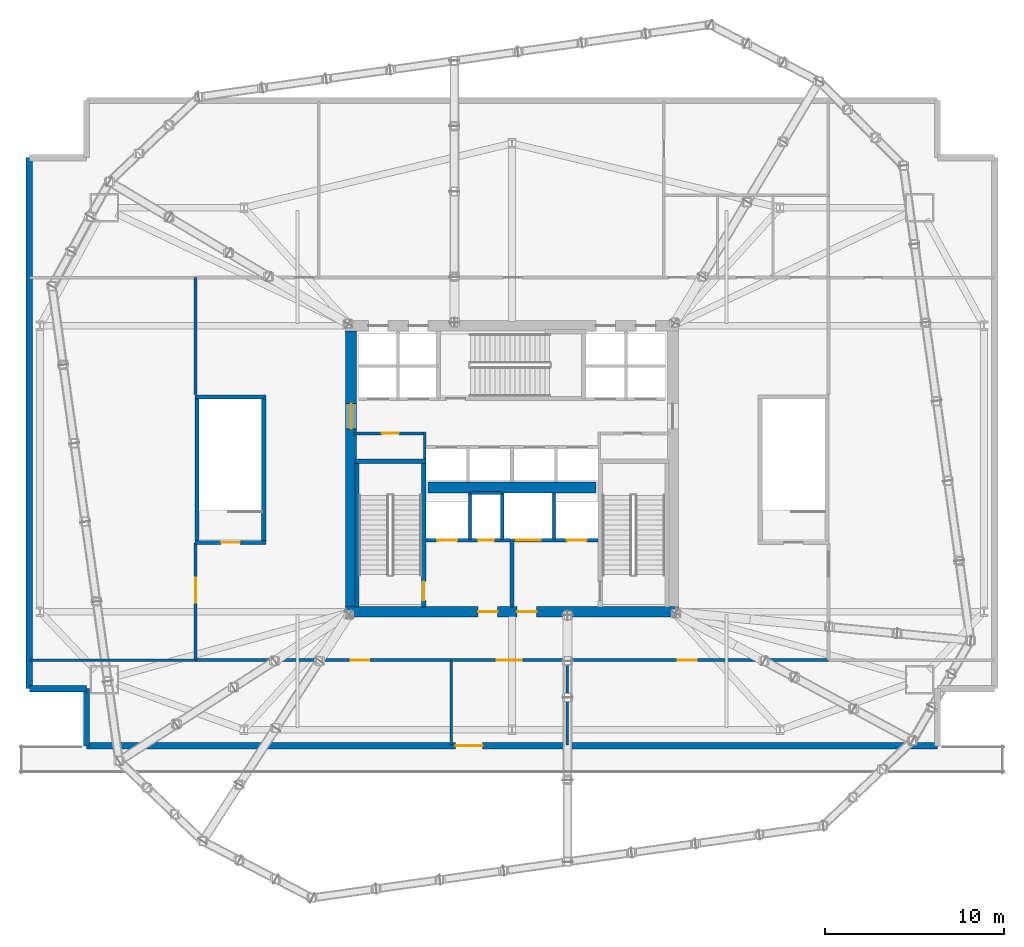
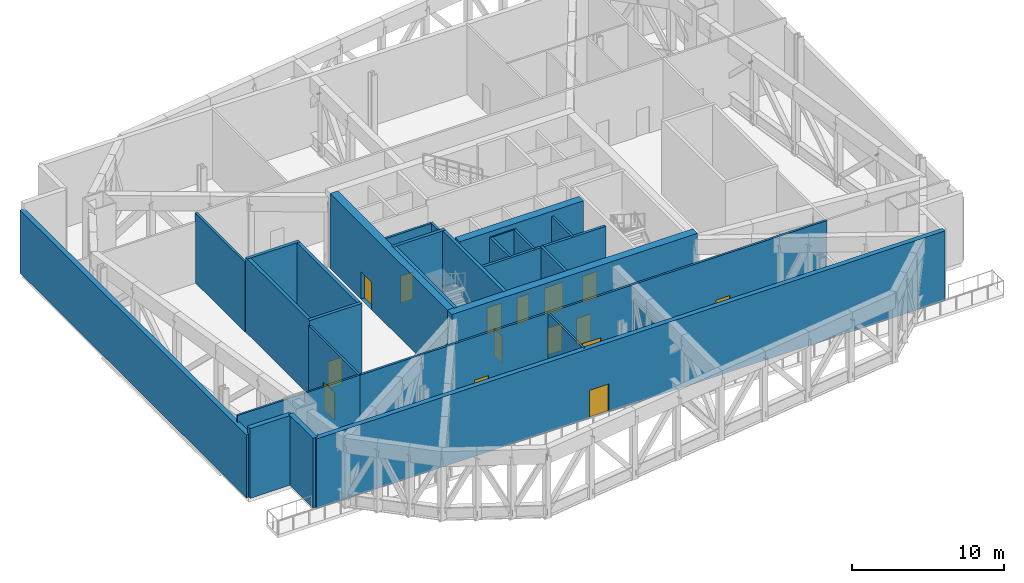
# One storey, part 10 of 15: 29 walls, 15 doors, 15 openings.
"""IFC4 building model written with IfcOpenShell, lengths in metres."""

from ifc_helpers import new_model, si_unit, direction, frame, frame_2d, origin, place, context, subcontext, project, spatial, rectangle, extrude, material, layer, layer_set, type_object, element, fill, save


model = new_model("IFC4")

# Units and contexts
model_context = context("Model", 3, precision=1e-05, world=origin(), true_north=direction((0.0, 1.0)))
body_context = subcontext(model_context, "Body", "Model", "MODEL_VIEW")
ifc_project = project(units=[si_unit("LENGTHUNIT", "METRE"), si_unit("AREAUNIT", "SQUARE_METRE"), si_unit("VOLUMEUNIT", "CUBIC_METRE"), si_unit("PLANEANGLEUNIT", "RADIAN"), si_unit("MASSUNIT", "GRAM", prefix="KILO")], contexts=[model_context])

# Site, building, storey
site_placement = place(None, origin())
site = spatial("IfcSite", under=ifc_project, at=site_placement, CompositionType="ELEMENT")
building_placement = place(site_placement, origin())
building = spatial("IfcBuilding", under=site, at=building_placement, Name="Haldenkirk Collegiate Tower", CompositionType="ELEMENT")
storey_placement = place(building_placement, frame((0.0, 0.0, 22.199951171875)))
storey = spatial("IfcBuildingStorey", under=building, at=storey_placement, Name="L04", CompositionType="ELEMENT", Elevation=22.199951171875)

# Wall, openings, doors
ifc_material_1 = material(Name="Concrete f'c 70 MPa", Category="concrete")
ifc_layer_1 = layer(ifc_material_1, 0.60009765625)
ifc_layer_set_1 = layer_set([ifc_layer_1], Name="Concrete f'c 70 MPa")
wall_type_1 = type_object("IfcWallType", Name="WL-CORE-600", PredefinedType="SHEAR", material=ifc_layer_set_1)
wall_1_placement = place(storey_placement, frame((26.699951171875, 18.0, 0.0), z_axis=(0.0, 0.0, 1.0), x_axis=(1.0, 0.0, 0.0)))
wall_1 = element("IfcWall", 1, at=wall_1_placement, inside=storey, type_object=wall_type_1, Name="L04 central core shear wall S", PredefinedType="SHEAR", context=body_context, shape_type="SweptSolid", body=[
    extrude(rectangle(XDim=18.60009765625, YDim=0.60009765625, at=frame_2d((9.300048828125, 0.0))), origin(), (0.0, 0.0, 1.0), 6.0),
])
opening_1_placement = place(wall_1_placement, frame((7.39990234375, 0.0, 0.0)))
opening_1 = element("IfcOpeningElement", 2, at=opening_1_placement, cuts=wall_1, Name="Opening D-02", PredefinedType="OPENING", context=body_context, shape_type="SweptSolid", body=[
    extrude(rectangle(XDim=1.10009765625, YDim=2.14990234375, at=frame_2d((0.550048828125, 1.074951171875))), frame((0.0, 0.31005859375, 0.0), z_axis=(0.0, -1.0, 0.0), x_axis=(1.0, 0.0, 0.0)), (0.0, 0.0, 1.0), 0.6201171875),
])
opening_2_placement = place(wall_1_placement, frame((9.580078125, 0.0, 0.0)))
opening_2 = element("IfcOpeningElement", 3, at=opening_2_placement, cuts=wall_1, Name="Opening D-02", PredefinedType="OPENING", context=body_context, shape_type="SweptSolid", body=[
    extrude(rectangle(XDim=1.10009765625, YDim=2.14990234375, at=frame_2d((0.550048828125, 1.074951171875))), frame((0.0, 0.31005859375, 0.0), z_axis=(0.0, -1.0, 0.0), x_axis=(1.0, 0.0, 0.0)), (0.0, 0.0, 1.0), 0.6201171875),
])
ifc_material_2 = material(Name="Galvanized fire-rated hollow steel door", Category="steel")
ifc_layer_2 = layer(ifc_material_2, 0.06005859375)
ifc_layer_set_2 = layer_set([ifc_layer_2], Name="Galvanized fire-rated hollow steel door")
door_type_1 = type_object("IfcDoorType", Name="DR-STAIR-FD90-1100", OperationType="NOTDEFINED", PredefinedType="DOOR", material=ifc_layer_set_2)
door_1_placement = place(opening_1_placement, origin())
door_1 = element("IfcDoor", 4, at=door_1_placement, inside=storey, type_object=door_type_1, Name="L04 Firefighting Lobby 1 door", OperationType="SINGLE_SWING_RIGHT", OverallHeight=2.14990234375, OverallWidth=1.10009765625, PredefinedType="DOOR", context=body_context, shape_type="SweptSolid", body=[
    extrude(rectangle(XDim=1.10009765625, YDim=2.14990234375, at=frame_2d((0.550048828125, 1.074951171875))), frame((0.0, 0.02490234375, 0.0), z_axis=(0.0, -1.0, 0.0), x_axis=(1.0, 0.0, 0.0)), (0.0, 0.0, 1.0), 0.050048828125),
])
fill(opening_1, door_1)
door_2_placement = place(opening_2_placement, origin())
door_2 = element("IfcDoor", 5, at=door_2_placement, inside=storey, type_object=door_type_1, Name="L04 Firefighting Lobby 2 door", OperationType="SINGLE_SWING_LEFT", OverallHeight=2.14990234375, OverallWidth=1.10009765625, PredefinedType="DOOR", context=body_context, shape_type="SweptSolid", body=[
    extrude(rectangle(XDim=1.10009765625, YDim=2.14990234375, at=frame_2d((0.550048828125, 1.074951171875))), frame((0.0, 0.02490234375, 0.0), z_axis=(0.0, -1.0, 0.0), x_axis=(1.0, 0.0, 0.0)), (0.0, 0.0, 1.0), 0.050048828125),
])
fill(opening_2, door_2)

# Wall, opening, door
wall_2_placement = place(storey_placement, frame((27.0, 18.300048828125, 0.0), z_axis=(0.0, 0.0, 1.0), x_axis=(0.0, 1.0, 0.0)))
wall_2 = element("IfcWall", 6, at=wall_2_placement, inside=storey, type_object=wall_type_1, Name="L04 central core shear wall W", PredefinedType="SHEAR", context=body_context, shape_type="SweptSolid", body=[
    extrude(rectangle(XDim=15.39990234375, YDim=0.60009765625, at=frame_2d((7.699951171875, 0.0))), origin(), (0.0, 0.0, 1.0), 6.0),
])
opening_3_placement = place(wall_2_placement, frame((9.93994140625, 0.0, 0.0)))
opening_3 = element("IfcOpeningElement", 7, at=opening_3_placement, cuts=wall_2, Name="Opening D-03", PredefinedType="OPENING", context=body_context, shape_type="SweptSolid", body=[
    extrude(rectangle(XDim=1.39990234375, YDim=2.199951171875, at=frame_2d((0.699951171875, 1.10009765625))), frame((0.0, 0.31005859375, 0.0), z_axis=(0.0, -1.0, 0.0), x_axis=(1.0, 0.0, 0.0)), (0.0, 0.0, 1.0), 0.6201171875),
])
ifc_layer_3 = layer(ifc_material_2, 0.06005859375)
ifc_layer_set_3 = layer_set([ifc_layer_3], Name="Galvanized fire-rated hollow steel door")
door_type_2 = type_object("IfcDoorType", Name="DR-LOBBY-FD90-1400", OperationType="NOTDEFINED", PredefinedType="DOOR", material=ifc_layer_set_3)
door_3_placement = place(opening_3_placement, origin())
door_3 = element("IfcDoor", 8, at=door_3_placement, inside=storey, type_object=door_type_2, Name="L04 west lift lobby portal", OperationType="DOUBLE_DOOR_SINGLE_SWING", OverallHeight=2.199951171875, OverallWidth=1.39990234375, PredefinedType="DOOR", context=body_context, shape_type="SweptSolid", body=[
    extrude(rectangle(XDim=1.39990234375, YDim=2.199951171875, at=frame_2d((0.699951171875, 1.10009765625))), frame((0.0, 0.02490234375, 0.0), z_axis=(0.0, -1.0, 0.0), x_axis=(1.0, 0.0, 0.0)), (0.0, 0.0, 1.0), 0.050048828125),
])
fill(opening_3, door_3)

# Wall
wall_3_placement = place(storey_placement, frame((31.31005859375, 24.949951171875, 0.0), z_axis=(0.0, 0.0, 1.0), x_axis=(1.0, 0.0, 0.0)))
element("IfcWall", 9, at=wall_3_placement, inside=storey, type_object=wall_type_1, Name="L04 central core spine shear wall", PredefinedType="SHEAR", context=body_context, shape_type="SweptSolid", body=[
    extrude(rectangle(XDim=9.3798828125, YDim=0.60009765625, at=frame_2d((4.68994140625, 0.0))), origin(), (0.0, 0.0, 1.0), 6.0),
])

# Wall, opening, door
ifc_material_3 = material(Name="Precast concrete f'c 40 MPa", Category="concrete")
ifc_layer_4 = layer(ifc_material_3, 0.360107421875)
ifc_layer_set_4 = layer_set([ifc_layer_4], Name="Precast concrete f'c 40 MPa")
wall_type_2 = type_object("IfcWallType", Name="WL-EXT-POD-360", PredefinedType="STANDARD", material=ifc_layer_set_4)
wall_4_placement = place(storey_placement, frame((59.800048828125, 10.5, 0.0), z_axis=(0.0, 0.0, 1.0), x_axis=(-1.0, 0.0, 0.0)))
wall_4 = element("IfcWall", 10, at=wall_4_placement, inside=storey, type_object=wall_type_2, Name="L04 podium bronze precast wall 01", PredefinedType="STANDARD", context=body_context, shape_type="SweptSolid", body=[
    extrude(rectangle(XDim=47.60009765625, YDim=0.360107421875, at=frame_2d((23.800048828125, 0.0))), origin(), (0.0, 0.0, 1.0), 5.590087890625),
])
opening_4_placement = place(wall_4_placement, frame((25.449951171875, 0.0, 0.0)))
opening_4 = element("IfcOpeningElement", 11, at=opening_4_placement, cuts=wall_4, Name="Opening D-PT15", PredefinedType="OPENING", context=body_context, shape_type="SweptSolid", body=[
    extrude(rectangle(XDim=1.5, YDim=2.25, at=frame_2d((0.75, 1.125))), frame((0.0, 0.18994140625, 0.0), z_axis=(0.0, -1.0, 0.0), x_axis=(1.0, 0.0, 0.0)), (0.0, 0.0, 1.0), 0.380126953125),
])
ifc_material_4 = material(Name="Anodised architectural bronze aluminium", Category="aluminium")
ifc_layer_5 = layer(ifc_material_4, 0.080078125)
ifc_layer_set_5 = layer_set([ifc_layer_5], Name="Anodised architectural bronze aluminium")
door_type_3 = type_object("IfcDoorType", Name="DR-EXT-PTER-1500", OperationType="NOTDEFINED", PredefinedType="DOOR", material=ifc_layer_set_5)
door_4_placement = place(opening_4_placement, origin())
door_4 = element("IfcDoor", 12, at=door_4_placement, inside=storey, type_object=door_type_3, Name="L04 south cascade terrace door", OperationType="DOUBLE_DOOR_SINGLE_SWING", OverallHeight=2.25, OverallWidth=1.5, PredefinedType="DOOR", context=body_context, shape_type="SweptSolid", body=[
    extrude(rectangle(XDim=1.5, YDim=2.25, at=frame_2d((0.75, 1.125))), frame((0.0, 0.02490234375, 0.0), z_axis=(0.0, -1.0, 0.0), x_axis=(1.0, 0.0, 0.0)), (0.0, 0.0, 1.0), 0.050048828125),
])
fill(opening_4, door_4)

# Walls
wall_5_placement = place(storey_placement, frame((9.0, 13.699951171875, 0.0), z_axis=(0.0, 0.0, 1.0), x_axis=(0.0, 1.0, 0.0)))
element("IfcWall", 13, at=wall_5_placement, inside=storey, type_object=wall_type_2, Name="L04 podium bronze precast wall 10", PredefinedType="STANDARD", context=body_context, shape_type="SweptSolid", body=[
    extrude(rectangle(XDim=29.699951171875, YDim=0.360107421875, at=frame_2d((14.85009765625, 0.0))), origin(), (0.0, 0.0, 1.0), 5.041015625),
])
for number, where, z_axis, x_axis, name in (
    (14, (12.199951171875, 13.699951171875, 0.0), (0.0, 0.0, 1.0), (-1.0, 0.0, 0.0), "L04 podium bronze precast wall 11"),
    (15, (12.199951171875, 10.5, 0.0), (0.0, 0.0, 1.0), (0.0, 1.0, 0.0), "L04 podium bronze precast wall 12"),
):
    element("IfcWall", number, at=place(storey_placement, frame(where, z_axis=z_axis, x_axis=x_axis)), inside=storey, type_object=wall_type_2, Name=name, PredefinedType="STANDARD", context=body_context, shape_type="SweptSolid", body=[
        extrude(rectangle(XDim=3.199951171875, YDim=0.360107421875, at=frame_2d((1.60009765625, 0.0))), origin(), (0.0, 0.0, 1.0), 5.590087890625),
    ])

# Wall, opening, door
ifc_material_5 = material(Name="Acoustic fire-rated gypsum partition", Category="concrete")
ifc_layer_6 = layer(ifc_material_5, 0.159912109375)
ifc_layer_set_6 = layer_set([ifc_layer_6], Name="Acoustic fire-rated gypsum partition")
wall_type_3 = type_object("IfcWallType", Name="WL-INT-CORR-160", PredefinedType="PARTITIONING", material=ifc_layer_set_6)
wall_6_placement = place(storey_placement, frame((27.14990234375, 27.97998046875, 0.0), z_axis=(0.0, 0.0, 1.0), x_axis=(1.0, 0.0, 0.0)))
wall_6 = element("IfcWall", 16, at=wall_6_placement, inside=storey, type_object=wall_type_3, Name="L04 interior partition IW-L04-VCSW-N", PredefinedType="PARTITIONING", context=body_context, shape_type="SweptSolid", body=[
    extrude(rectangle(XDim=4.050048828125, YDim=0.159912109375, at=frame_2d((2.02490234375, 0.0))), origin(), (0.0, 0.0, 1.0), 5.590087890625),
])
opening_5_placement = place(wall_6_placement, frame((1.574951171875, 0.0, 0.0)))
opening_5 = element("IfcOpeningElement", 17, at=opening_5_placement, cuts=wall_6, Name="Opening D-10", PredefinedType="OPENING", context=body_context, shape_type="SweptSolid", body=[
    extrude(rectangle(XDim=0.949951171875, YDim=2.14990234375, at=frame_2d((0.47509765625, 1.074951171875))), frame((0.0, 0.08984375, 0.0), z_axis=(0.0, -1.0, 0.0), x_axis=(1.0, 0.0, 0.0)), (0.0, 0.0, 1.0), 0.179931640625),
])
ifc_material_6 = material(Name="Solid-core architectural oak fire door", Category="wood")
ifc_layer_7 = layer(ifc_material_6, 0.06005859375)
ifc_layer_set_7 = layer_set([ifc_layer_7], Name="Solid-core architectural oak fire door")
door_type_4 = type_object("IfcDoorType", Name="DR-INT-FD60-950", OperationType="NOTDEFINED", PredefinedType="DOOR", material=ifc_layer_set_7)
door_5_placement = place(opening_5_placement, origin())
door_5 = element("IfcDoor", 18, at=door_5_placement, inside=storey, type_object=door_type_4, Name="L04 core electrical door", OperationType="SINGLE_SWING_LEFT", OverallHeight=2.14990234375, OverallWidth=0.949951171875, PredefinedType="DOOR", context=body_context, shape_type="SweptSolid", body=[
    extrude(rectangle(XDim=0.949951171875, YDim=2.14990234375, at=frame_2d((0.47509765625, 1.074951171875))), frame((0.0, 0.02490234375, 0.0), z_axis=(0.0, -1.0, 0.0), x_axis=(1.0, 0.0, 0.0)), (0.0, 0.0, 1.0), 0.050048828125),
])
fill(opening_5, door_5)

# Wall
wall_7_placement = place(storey_placement, frame((31.1201171875, 26.5400390625, 0.0), z_axis=(0.0, 0.0, 1.0), x_axis=(0.0, 1.0, 0.0)))
element("IfcWall", 19, at=wall_7_placement, inside=storey, type_object=wall_type_3, Name="L04 interior partition IW-L04-VCSW-E", PredefinedType="PARTITIONING", context=body_context, shape_type="SweptSolid", body=[
    extrude(rectangle(XDim=1.510009765625, YDim=0.159912109375, at=frame_2d((0.7548828125, 0.0))), origin(), (0.0, 0.0, 1.0), 5.590087890625),
])

# Wall, openings, doors
wall_8_placement = place(storey_placement, frame((18.300048828125, 15.300048828125, 0.0), z_axis=(0.0, 0.0, 1.0), x_axis=(1.0, 0.0, 0.0)))
wall_8 = element("IfcWall", 20, at=wall_8_placement, inside=storey, type_object=wall_type_3, Name="L04 interior partition IW-L04-CS", PredefinedType="PARTITIONING", context=body_context, shape_type="SweptSolid", body=[
    extrude(rectangle(XDim=35.39990234375, YDim=0.159912109375, at=frame_2d((17.699951171875, 0.0))), origin(), (0.0, 0.0, 1.0), 5.590087890625),
])
opening_6_placement = place(wall_8_placement, frame((8.675048828125, 0.0, 0.0)))
opening_6 = element("IfcOpeningElement", 21, at=opening_6_placement, cuts=wall_8, Name="Opening D-09", PredefinedType="OPENING", context=body_context, shape_type="SweptSolid", body=[
    extrude(rectangle(XDim=1.050048828125, YDim=2.14990234375, at=frame_2d((0.52490234375, 1.074951171875))), frame((0.0, 0.08984375, 0.0), z_axis=(0.0, -1.0, 0.0), x_axis=(1.0, 0.0, 0.0)), (0.0, 0.0, 1.0), 0.179931640625),
])
opening_7_placement = place(wall_8_placement, frame((16.85009765625, 0.0, 0.0)))
opening_7 = element("IfcOpeningElement", 22, at=opening_7_placement, cuts=wall_8, Name="Opening D-07", PredefinedType="OPENING", context=body_context, shape_type="SweptSolid", body=[
    extrude(rectangle(XDim=1.39990234375, YDim=2.199951171875, at=frame_2d((0.699951171875, 1.10009765625))), frame((0.0, 0.08984375, 0.0), z_axis=(0.0, -1.0, 0.0), x_axis=(1.0, 0.0, 0.0)), (0.0, 0.0, 1.0), 0.179931640625),
])
opening_8_placement = place(wall_8_placement, frame((26.97509765625, 0.0, 0.0)))
opening_8 = element("IfcOpeningElement", 23, at=opening_8_placement, cuts=wall_8, Name="Opening D-09", PredefinedType="OPENING", context=body_context, shape_type="SweptSolid", body=[
    extrude(rectangle(XDim=1.050048828125, YDim=2.14990234375, at=frame_2d((0.52490234375, 1.074951171875))), frame((0.0, 0.08984375, 0.0), z_axis=(0.0, -1.0, 0.0), x_axis=(1.0, 0.0, 0.0)), (0.0, 0.0, 1.0), 0.179931640625),
])
ifc_layer_8 = layer(ifc_material_6, 0.06005859375)
ifc_layer_set_8 = layer_set([ifc_layer_8], Name="Solid-core architectural oak fire door")
door_type_5 = type_object("IfcDoorType", Name="DR-INT-FD60-1050", OperationType="NOTDEFINED", PredefinedType="DOOR", material=ifc_layer_set_8)
door_6_placement = place(opening_6_placement, origin())
door_6 = element("IfcDoor", 24, at=door_6_placement, inside=storey, type_object=door_type_5, Name="L04 south-west door", OperationType="SINGLE_SWING_LEFT", OverallHeight=2.14990234375, OverallWidth=1.050048828125, PredefinedType="DOOR", context=body_context, shape_type="SweptSolid", body=[
    extrude(rectangle(XDim=1.050048828125, YDim=2.14990234375, at=frame_2d((0.52490234375, 1.074951171875))), frame((0.0, 0.02490234375, 0.0), z_axis=(0.0, -1.0, 0.0), x_axis=(1.0, 0.0, 0.0)), (0.0, 0.0, 1.0), 0.050048828125),
])
fill(opening_6, door_6)
door_7_placement = place(opening_8_placement, origin())
door_7 = element("IfcDoor", 25, at=door_7_placement, inside=storey, type_object=door_type_5, Name="L04 south-east door", OperationType="SINGLE_SWING_RIGHT", OverallHeight=2.14990234375, OverallWidth=1.050048828125, PredefinedType="DOOR", context=body_context, shape_type="SweptSolid", body=[
    extrude(rectangle(XDim=1.050048828125, YDim=2.14990234375, at=frame_2d((0.52490234375, 1.074951171875))), frame((0.0, 0.02490234375, 0.0), z_axis=(0.0, -1.0, 0.0), x_axis=(1.0, 0.0, 0.0)), (0.0, 0.0, 1.0), 0.050048828125),
])
fill(opening_8, door_7)
ifc_layer_9 = layer(ifc_material_2, 0.06005859375)
ifc_layer_set_9 = layer_set([ifc_layer_9], Name="Galvanized fire-rated hollow steel door")
door_type_6 = type_object("IfcDoorType", Name="DR-LOBBY-FD60-1400", OperationType="NOTDEFINED", PredefinedType="DOOR", material=ifc_layer_set_9)
door_8_placement = place(opening_7_placement, origin())
door_8 = element("IfcDoor", 26, at=door_8_placement, inside=storey, type_object=door_type_6, Name="L04 south gallery door", OperationType="DOUBLE_DOOR_SINGLE_SWING", OverallHeight=2.199951171875, OverallWidth=1.39990234375, PredefinedType="DOOR", context=body_context, shape_type="SweptSolid", body=[
    extrude(rectangle(XDim=1.39990234375, YDim=2.199951171875, at=frame_2d((0.699951171875, 1.10009765625))), frame((0.0, 0.02490234375, 0.0), z_axis=(0.0, -1.0, 0.0), x_axis=(1.0, 0.0, 0.0)), (0.0, 0.0, 1.0), 0.050048828125),
])
fill(opening_7, door_8)

# Wall, opening, door
wall_9_placement = place(storey_placement, frame((18.300048828125, 15.300048828125, 0.0), z_axis=(0.0, 0.0, 1.0), x_axis=(0.0, 1.0, 0.0)))
wall_9 = element("IfcWall", 27, at=wall_9_placement, inside=storey, type_object=wall_type_3, Name="L04 interior partition IW-L04-CW1", PredefinedType="PARTITIONING", context=body_context, shape_type="SweptSolid", body=[
    extrude(rectangle(XDim=6.550048828125, YDim=0.159912109375, at=frame_2d((3.27490234375, 0.0))), origin(), (0.0, 0.0, 1.0), 5.590087890625),
])
opening_9_placement = place(wall_9_placement, frame((3.199951171875, 0.0, 0.0)))
opening_9 = element("IfcOpeningElement", 28, at=opening_9_placement, cuts=wall_9, Name="Opening D-07", PredefinedType="OPENING", context=body_context, shape_type="SweptSolid", body=[
    extrude(rectangle(XDim=1.39990234375, YDim=2.199951171875, at=frame_2d((0.699951171875, 1.10009765625))), frame((0.0, 0.08984375, 0.0), z_axis=(0.0, -1.0, 0.0), x_axis=(1.0, 0.0, 0.0)), (0.0, 0.0, 1.0), 0.179931640625),
])
door_9_placement = place(opening_9_placement, origin())
door_9 = element("IfcDoor", 29, at=door_9_placement, inside=storey, type_object=door_type_6, Name="L04 west wing door", OperationType="DOUBLE_DOOR_SINGLE_SWING", OverallHeight=2.199951171875, OverallWidth=1.39990234375, PredefinedType="DOOR", context=body_context, shape_type="SweptSolid", body=[
    extrude(rectangle(XDim=1.39990234375, YDim=2.199951171875, at=frame_2d((0.699951171875, 1.10009765625))), frame((0.0, 0.02490234375, 0.0), z_axis=(0.0, -1.0, 0.0), x_axis=(1.0, 0.0, 0.0)), (0.0, 0.0, 1.0), 0.050048828125),
])
fill(opening_9, door_9)

# Walls
wall_10_placement = place(storey_placement, frame((18.300048828125, 30.14990234375, 0.0), z_axis=(0.0, 0.0, 1.0), x_axis=(0.0, 1.0, 0.0)))
element("IfcWall", 30, at=wall_10_placement, inside=storey, type_object=wall_type_3, Name="L04 interior partition IW-L04-CW2", PredefinedType="PARTITIONING", context=body_context, shape_type="SweptSolid", body=[
    extrude(rectangle(XDim=6.550048828125, YDim=0.159912109375, at=frame_2d((3.27490234375, 0.0))), origin(), (0.0, 0.0, 1.0), 5.590087890625),
])
ifc_layer_10 = layer(ifc_material_5, 0.139892578125)
ifc_layer_set_10 = layer_set([ifc_layer_10], Name="Acoustic fire-rated gypsum partition")
wall_type_4 = type_object("IfcWallType", Name="WL-INT-DIV-140", PredefinedType="PARTITIONING", material=ifc_layer_set_10)
wall_11_placement = place(storey_placement, frame((9.0400390625, 15.300048828125, 0.0), z_axis=(0.0, 0.0, 1.0), x_axis=(1.0, 0.0, 0.0)))
element("IfcWall", 31, at=wall_11_placement, inside=storey, type_object=wall_type_4, Name="L04 interior partition IW-L04-WCS1", PredefinedType="PARTITIONING", context=body_context, shape_type="SweptSolid", body=[
    extrude(rectangle(XDim=9.260009765625, YDim=0.139892578125, at=frame_2d((4.6298828125, 0.0))), origin(), (0.0, 0.0, 1.0), 5.590087890625),
])
wall_12_placement = place(storey_placement, frame((32.60009765625, 10.5400390625, 0.0), z_axis=(0.0, 0.0, 1.0), x_axis=(0.0, 1.0, 0.0)))
element("IfcWall", 32, at=wall_12_placement, inside=storey, type_object=wall_type_4, Name="L04 interior partition IW-L04-SD1", PredefinedType="PARTITIONING", context=body_context, shape_type="SweptSolid", body=[
    extrude(rectangle(XDim=4.760009765625, YDim=0.139892578125, at=frame_2d((2.3798828125, 0.0))), origin(), (0.0, 0.0, 1.0), 5.590087890625),
])
wall_13_placement = place(storey_placement, frame((39.10009765625, 10.5400390625, 0.0), z_axis=(0.0, 0.0, 1.0), x_axis=(0.0, 1.0, 0.0)))
element("IfcWall", 33, at=wall_13_placement, inside=storey, type_object=wall_type_4, Name="L04 interior partition IW-L04-SD2", PredefinedType="PARTITIONING", context=body_context, shape_type="SweptSolid", body=[
    extrude(rectangle(XDim=4.760009765625, YDim=0.139892578125, at=frame_2d((2.3798828125, 0.0))), origin(), (0.0, 0.0, 1.0), 4.385009765625),
])
ifc_material_7 = material(Name="Fire-rated gypsum shaftboard assembly", Category="concrete")
ifc_layer_11 = layer(ifc_material_7, 0.179931640625)
ifc_layer_set_11 = layer_set([ifc_layer_11], Name="Fire-rated gypsum shaftboard assembly")
wall_type_5 = type_object("IfcWallType", Name="WL-INT-SHAFT-180", PredefinedType="PARTITIONING", material=ifc_layer_set_11)
for number, where, z_axis, x_axis, name in (
    (34, (33.64990234375, 22.050048828125, 0.0), (0.0, 0.0, 1.0), (0.0, 1.0, 0.0), "L04 interior partition IW-L04-FL1E"),
    (35, (35.449951171875, 22.050048828125, 0.0), (0.0, 0.0, 1.0), (0.0, 1.0, 0.0), "L04 interior partition IW-L04-GL1W"),
):
    element("IfcWall", number, at=place(storey_placement, frame(where, z_axis=z_axis, x_axis=x_axis)), inside=storey, type_object=wall_type_5, Name=name, PredefinedType="PARTITIONING", context=body_context, shape_type="SweptSolid", body=[
        extrude(rectangle(XDim=2.599853515625, YDim=0.179931640625, at=frame_2d((1.2998046875, 0.0))), origin(), (0.0, 0.0, 1.0), 5.590087890625),
    ])
wall_14_placement = place(storey_placement, frame((33.64990234375, 24.64990234375, 0.0), z_axis=(0.0, 0.0, 1.0), x_axis=(1.0, 0.0, 0.0)))
element("IfcWall", 36, at=wall_14_placement, inside=storey, type_object=wall_type_5, Name="L04 interior partition IW-L04-RSRN", PredefinedType="PARTITIONING", context=body_context, shape_type="SweptSolid", body=[
    extrude(rectangle(XDim=1.800048828125, YDim=0.179931640625, at=frame_2d((0.89990234375, 0.0))), origin(), (0.0, 0.0, 1.0), 5.590087890625),
])
wall_15_placement = place(storey_placement, frame((38.35009765625, 22.050048828125, 0.0), z_axis=(0.0, 0.0, 1.0), x_axis=(0.0, 1.0, 0.0)))
element("IfcWall", 37, at=wall_15_placement, inside=storey, type_object=wall_type_5, Name="L04 interior partition IW-L04-GL1E", PredefinedType="PARTITIONING", context=body_context, shape_type="SweptSolid", body=[
    extrude(rectangle(XDim=2.599853515625, YDim=0.179931640625, at=frame_2d((1.2998046875, 0.0))), origin(), (0.0, 0.0, 1.0), 5.590087890625),
])
ifc_layer_12 = layer(ifc_material_7, 0.199951171875)
ifc_layer_set_12 = layer_set([ifc_layer_12], Name="Fire-rated gypsum shaftboard assembly")
wall_type_6 = type_object("IfcWallType", Name="WL-INT-SHAFT-200", PredefinedType="PARTITIONING", material=ifc_layer_set_12)
wall_16_placement = place(storey_placement, frame((36.0, 18.280029296875, 0.0), z_axis=(0.0, 0.0, 1.0), x_axis=(0.0, 1.0, 0.0)))
element("IfcWall", 38, at=wall_16_placement, inside=storey, type_object=wall_type_6, Name="L04 interior partition IW-L04-FFLM", PredefinedType="PARTITIONING", context=body_context, shape_type="SweptSolid", body=[
    extrude(rectangle(XDim=3.77001953125, YDim=0.199951171875, at=frame_2d((1.885009765625, 0.0))), origin(), (0.0, 0.0, 1.0), 5.590087890625),
])

# Wall, openings, doors
wall_17_placement = place(storey_placement, frame((31.18994140625, 22.0, 0.0), z_axis=(0.0, 0.0, 1.0), x_axis=(1.0, 0.0, 0.0)))
wall_17 = element("IfcWall", 39, at=wall_17_placement, inside=storey, type_object=wall_type_6, Name="L04 interior partition IW-L04-FFL1N", PredefinedType="PARTITIONING", context=body_context, shape_type="SweptSolid", body=[
    extrude(rectangle(XDim=4.68994140625, YDim=0.199951171875, at=frame_2d((2.344970703125, 0.0))), origin(), (0.0, 0.0, 1.0), 5.590087890625),
])
opening_10_placement = place(wall_17_placement, frame((2.909912109375, 0.0, 0.0)))
opening_10 = element("IfcOpeningElement", 40, at=opening_10_placement, cuts=wall_17, Name="Opening D-06", PredefinedType="OPENING", context=body_context, shape_type="SweptSolid", body=[
    extrude(rectangle(XDim=0.89990234375, YDim=2.14990234375, at=frame_2d((0.449951171875, 1.074951171875))), frame((0.0, 0.10986328125, 0.0), z_axis=(0.0, -1.0, 0.0), x_axis=(1.0, 0.0, 0.0)), (0.0, 0.0, 1.0), 0.219970703125),
])
opening_11_placement = place(wall_17_placement, frame((0.635009765625, 0.0, 0.0)))
opening_11 = element("IfcOpeningElement", 41, at=opening_11_placement, cuts=wall_17, Name="Opening LD-12", PredefinedType="OPENING", context=body_context, shape_type="SweptSolid", body=[
    extrude(rectangle(XDim=1.10009765625, YDim=2.14990234375, at=frame_2d((0.550048828125, 1.074951171875))), frame((0.0, 0.10986328125, 0.0), z_axis=(0.0, -1.0, 0.0), x_axis=(1.0, 0.0, 0.0)), (0.0, 0.0, 1.0), 0.219970703125),
])
ifc_layer_13 = layer(ifc_material_2, 0.06005859375)
ifc_layer_set_13 = layer_set([ifc_layer_13], Name="Galvanized fire-rated hollow steel door")
door_type_7 = type_object("IfcDoorType", Name="DR-INT-FD90-900", OperationType="NOTDEFINED", PredefinedType="DOOR", material=ifc_layer_set_13)
door_10_placement = place(opening_10_placement, origin())
door_10 = element("IfcDoor", 42, at=door_10_placement, inside=storey, type_object=door_type_7, Name="L04 electrical riser door", OperationType="SINGLE_SWING_RIGHT", OverallHeight=2.14990234375, OverallWidth=0.89990234375, PredefinedType="DOOR", context=body_context, shape_type="SweptSolid", body=[
    extrude(rectangle(XDim=0.89990234375, YDim=2.14990234375, at=frame_2d((0.449951171875, 1.074951171875))), frame((0.0, 0.02490234375, 0.0), z_axis=(0.0, -1.0, 0.0), x_axis=(1.0, 0.0, 0.0)), (0.0, 0.0, 1.0), 0.050048828125),
])
fill(opening_10, door_10)
ifc_material_8 = material(Name="Brushed architectural stainless steel", Category="steel")
ifc_layer_14 = layer(ifc_material_8, 0.06005859375)
ifc_layer_set_14 = layer_set([ifc_layer_14], Name="Brushed architectural stainless steel")
door_type_8 = type_object("IfcDoorType", Name="LD-FIRE-1100", OperationType="NOTDEFINED", PredefinedType="DOOR", material=ifc_layer_set_14)
door_11_placement = place(opening_11_placement, origin())
door_11 = element("IfcDoor", 43, at=door_11_placement, inside=storey, type_object=door_type_8, Name="L04 Elevator FL1 sliding landing door", OperationType="SLIDING_TO_LEFT", OverallHeight=2.14990234375, OverallWidth=1.10009765625, PredefinedType="DOOR", context=body_context, shape_type="SweptSolid", body=[
    extrude(rectangle(XDim=1.10009765625, YDim=2.14990234375, at=frame_2d((0.550048828125, 1.074951171875))), frame((0.0, 0.02490234375, 0.0), z_axis=(0.0, -1.0, 0.0), x_axis=(1.0, 0.0, 0.0)), (0.0, 0.0, 1.0), 0.050048828125),
])
fill(opening_11, door_11)

wall_18_placement = place(storey_placement, frame((36.1201171875, 22.0, 0.0), z_axis=(0.0, 0.0, 1.0), x_axis=(1.0, 0.0, 0.0)))
wall_18 = element("IfcWall", 44, at=wall_18_placement, inside=storey, type_object=wall_type_6, Name="L04 interior partition IW-L04-FFL2N", PredefinedType="PARTITIONING", context=body_context, shape_type="SweptSolid", body=[
    extrude(rectangle(XDim=4.68994140625, YDim=0.199951171875, at=frame_2d((2.344970703125, 0.0))), origin(), (0.0, 0.0, 1.0), 5.590087890625),
])
opening_12_placement = place(wall_18_placement, frame((2.955078125, 0.0, 0.0)))
opening_12 = element("IfcOpeningElement", 45, at=opening_12_placement, cuts=wall_18, Name="Opening LD-12", PredefinedType="OPENING", context=body_context, shape_type="SweptSolid", body=[
    extrude(rectangle(XDim=1.10009765625, YDim=2.14990234375, at=frame_2d((0.550048828125, 1.074951171875))), frame((0.0, 0.10986328125, 0.0), z_axis=(0.0, -1.0, 0.0), x_axis=(1.0, 0.0, 0.0)), (0.0, 0.0, 1.0), 0.219970703125),
])
opening_13_placement = place(wall_18_placement, frame((0.080078125, 0.0, 0.0)))
opening_13 = element("IfcOpeningElement", 46, at=opening_13_placement, cuts=wall_18, Name="Opening LD-13", PredefinedType="OPENING", context=body_context, shape_type="SweptSolid", body=[
    extrude(rectangle(XDim=1.39990234375, YDim=2.199951171875, at=frame_2d((0.699951171875, 1.10009765625))), frame((0.0, 0.10986328125, 0.0), z_axis=(0.0, -1.0, 0.0), x_axis=(1.0, 0.0, 0.0)), (0.0, 0.0, 1.0), 0.219970703125),
])
door_12_placement = place(opening_12_placement, origin())
door_12 = element("IfcDoor", 47, at=door_12_placement, inside=storey, type_object=door_type_8, Name="L04 Elevator FL2 sliding landing door", OperationType="SLIDING_TO_LEFT", OverallHeight=2.14990234375, OverallWidth=1.10009765625, PredefinedType="DOOR", context=body_context, shape_type="SweptSolid", body=[
    extrude(rectangle(XDim=1.10009765625, YDim=2.14990234375, at=frame_2d((0.550048828125, 1.074951171875))), frame((0.0, 0.02490234375, 0.0), z_axis=(0.0, -1.0, 0.0), x_axis=(1.0, 0.0, 0.0)), (0.0, 0.0, 1.0), 0.050048828125),
])
fill(opening_12, door_12)
ifc_layer_15 = layer(ifc_material_8, 0.06005859375)
ifc_layer_set_15 = layer_set([ifc_layer_15], Name="Brushed architectural stainless steel")
door_type_9 = type_object("IfcDoorType", Name="LD-GOODS-1400", OperationType="NOTDEFINED", PredefinedType="DOOR", material=ifc_layer_set_15)
door_13_placement = place(opening_13_placement, origin())
door_13 = element("IfcDoor", 48, at=door_13_placement, inside=storey, type_object=door_type_9, Name="L04 Elevator GL1 sliding landing door", OperationType="SLIDING_TO_LEFT", OverallHeight=2.199951171875, OverallWidth=1.39990234375, PredefinedType="DOOR", context=body_context, shape_type="SweptSolid", body=[
    extrude(rectangle(XDim=1.39990234375, YDim=2.199951171875, at=frame_2d((0.699951171875, 1.10009765625))), frame((0.0, 0.02490234375, 0.0), z_axis=(0.0, -1.0, 0.0), x_axis=(1.0, 0.0, 0.0)), (0.0, 0.0, 1.0), 0.050048828125),
])
fill(opening_13, door_13)

# Wall, opening, door
ifc_material_9 = material(Name="Concrete f'c 55 MPa", Category="concrete")
ifc_layer_16 = layer(ifc_material_9, 0.239990234375)
ifc_layer_set_16 = layer_set([ifc_layer_16], Name="Concrete f'c 55 MPa")
wall_type_7 = type_object("IfcWallType", Name="WL-SHAFT-240", PredefinedType="SHEAR", material=ifc_layer_set_16)
wall_19_placement = place(storey_placement, frame((31.070068359375, 18.280029296875, 0.0), z_axis=(0.0, 0.0, 1.0), x_axis=(0.0, 1.0, 0.0)))
wall_19 = element("IfcWall", 49, at=wall_19_placement, inside=storey, type_object=wall_type_7, Name="L04 stair shaft shear wall SW-L04-ST1E", PredefinedType="SHEAR", context=body_context, shape_type="SweptSolid", body=[
    extrude(rectangle(XDim=8.260009765625, YDim=0.239990234375, at=frame_2d((4.1298828125, 0.0))), origin(), (0.0, 0.0, 1.0), 6.0),
])
opening_14_placement = place(wall_19_placement, frame((0.364990234375, 0.0, 0.0)))
opening_14 = element("IfcOpeningElement", 50, at=opening_14_placement, cuts=wall_19, Name="Opening D-01", PredefinedType="OPENING", context=body_context, shape_type="SweptSolid", body=[
    extrude(rectangle(XDim=1.050048828125, YDim=2.14990234375, at=frame_2d((0.52490234375, 1.074951171875))), frame((0.0, 0.1298828125, 0.0), z_axis=(0.0, -1.0, 0.0), x_axis=(1.0, 0.0, 0.0)), (0.0, 0.0, 1.0), 0.260009765625),
])
ifc_layer_17 = layer(ifc_material_2, 0.06005859375)
ifc_layer_set_17 = layer_set([ifc_layer_17], Name="Galvanized fire-rated hollow steel door")
door_type_10 = type_object("IfcDoorType", Name="DR-STAIR-FD90-1050", OperationType="NOTDEFINED", PredefinedType="DOOR", material=ifc_layer_set_17)
door_14_placement = place(opening_14_placement, origin())
door_14 = element("IfcDoor", 51, at=door_14_placement, inside=storey, type_object=door_type_10, Name="L04 Stair 1 door", OperationType="SINGLE_SWING_LEFT", OverallHeight=2.14990234375, OverallWidth=1.050048828125, PredefinedType="DOOR", context=body_context, shape_type="SweptSolid", body=[
    extrude(rectangle(XDim=1.050048828125, YDim=2.14990234375, at=frame_2d((0.52490234375, 1.074951171875))), frame((0.0, 0.02490234375, 0.0), z_axis=(0.0, -1.0, 0.0), x_axis=(1.0, 0.0, 0.0)), (0.0, 0.0, 1.0), 0.050048828125),
])
fill(opening_14, door_14)

# Walls
wall_20_placement = place(storey_placement, frame((27.2099609375, 26.419921875, 0.0), z_axis=(0.0, 0.0, 1.0), x_axis=(1.0, 0.0, 0.0)))
element("IfcWall", 52, at=wall_20_placement, inside=storey, type_object=wall_type_7, Name="L04 stair shaft shear wall SW-L04-ST1N", PredefinedType="SHEAR", context=body_context, shape_type="SweptSolid", body=[
    extrude(rectangle(XDim=3.97998046875, YDim=0.239990234375, at=frame_2d((1.989990234375, 0.0))), origin(), (0.0, 0.0, 1.0), 6.0),
])
wall_21_placement = place(storey_placement, frame((27.330078125, 18.280029296875, 0.0), z_axis=(0.0, 0.0, 1.0), x_axis=(0.0, 1.0, 0.0)))
element("IfcWall", 53, at=wall_21_placement, inside=storey, type_object=wall_type_7, Name="L04 stair shaft shear wall SW-L04-ST1W", PredefinedType="SHEAR", context=body_context, shape_type="SweptSolid", body=[
    extrude(rectangle(XDim=8.260009765625, YDim=0.239990234375, at=frame_2d((4.1298828125, 0.0))), origin(), (0.0, 0.0, 1.0), 6.0),
])
for number, where, z_axis, x_axis, name in (
    (54, (18.3798828125, 21.760009765625, 0.0), (0.0, 0.0, 1.0), (0.0, 1.0, 0.0), "L04 stair shaft shear wall SW-L04-ST4W"),
    (55, (22.1201171875, 21.760009765625, 0.0), (0.0, 0.0, 1.0), (0.0, 1.0, 0.0), "L04 stair shaft shear wall SW-L04-ST4E"),
):
    element("IfcWall", number, at=place(storey_placement, frame(where, z_axis=z_axis, x_axis=x_axis)), inside=storey, type_object=wall_type_7, Name=name, PredefinedType="SHEAR", context=body_context, shape_type="SweptSolid", body=[
        extrude(rectangle(XDim=8.3798828125, YDim=0.239990234375, at=frame_2d((4.18994140625, 0.0))), origin(), (0.0, 0.0, 1.0), 6.0),
    ])

# Wall, opening, door
wall_22_placement = place(storey_placement, frame((18.260009765625, 21.8798828125, 0.0), z_axis=(0.0, 0.0, 1.0), x_axis=(1.0, 0.0, 0.0)))
wall_22 = element("IfcWall", 56, at=wall_22_placement, inside=storey, type_object=wall_type_7, Name="L04 stair shaft shear wall SW-L04-ST4S", PredefinedType="SHEAR", context=body_context, shape_type="SweptSolid", body=[
    extrude(rectangle(XDim=3.97998046875, YDim=0.239990234375, at=frame_2d((1.989990234375, 0.0))), origin(), (0.0, 0.0, 1.0), 6.0),
])
opening_15_placement = place(wall_22_placement, frame((1.465087890625, 0.0, 0.0)))
opening_15 = element("IfcOpeningElement", 57, at=opening_15_placement, cuts=wall_22, Name="Opening D-01", PredefinedType="OPENING", context=body_context, shape_type="SweptSolid", body=[
    extrude(rectangle(XDim=1.050048828125, YDim=2.14990234375, at=frame_2d((0.52490234375, 1.074951171875))), frame((0.0, 0.1298828125, 0.0), z_axis=(0.0, -1.0, 0.0), x_axis=(1.0, 0.0, 0.0)), (0.0, 0.0, 1.0), 0.260009765625),
])
door_15_placement = place(opening_15_placement, origin())
door_15 = element("IfcDoor", 58, at=door_15_placement, inside=storey, type_object=door_type_10, Name="L04 Stair 4 door", OperationType="SINGLE_SWING_LEFT", OverallHeight=2.14990234375, OverallWidth=1.050048828125, PredefinedType="DOOR", context=body_context, shape_type="SweptSolid", body=[
    extrude(rectangle(XDim=1.050048828125, YDim=2.14990234375, at=frame_2d((0.52490234375, 1.074951171875))), frame((0.0, 0.02490234375, 0.0), z_axis=(0.0, -1.0, 0.0), x_axis=(1.0, 0.0, 0.0)), (0.0, 0.0, 1.0), 0.050048828125),
])
fill(opening_15, door_15)

# Wall
wall_23_placement = place(storey_placement, frame((18.260009765625, 30.02001953125, 0.0), z_axis=(0.0, 0.0, 1.0), x_axis=(1.0, 0.0, 0.0)))
element("IfcWall", 59, at=wall_23_placement, inside=storey, type_object=wall_type_7, Name="L04 stair shaft shear wall SW-L04-ST4N", PredefinedType="SHEAR", context=body_context, shape_type="SweptSolid", body=[
    extrude(rectangle(XDim=3.97998046875, YDim=0.239990234375, at=frame_2d((1.989990234375, 0.0))), origin(), (0.0, 0.0, 1.0), 6.0),
])

save(model, "model.ifc")
